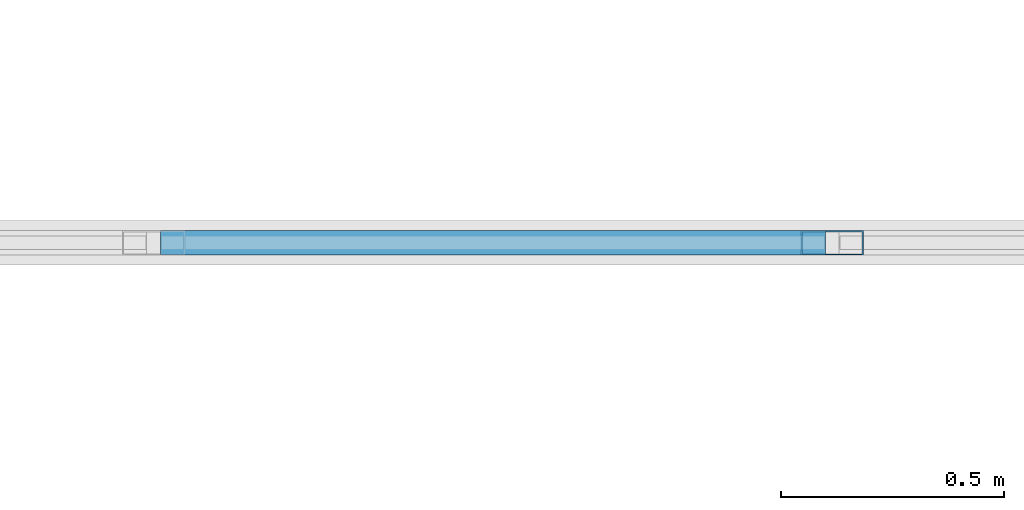
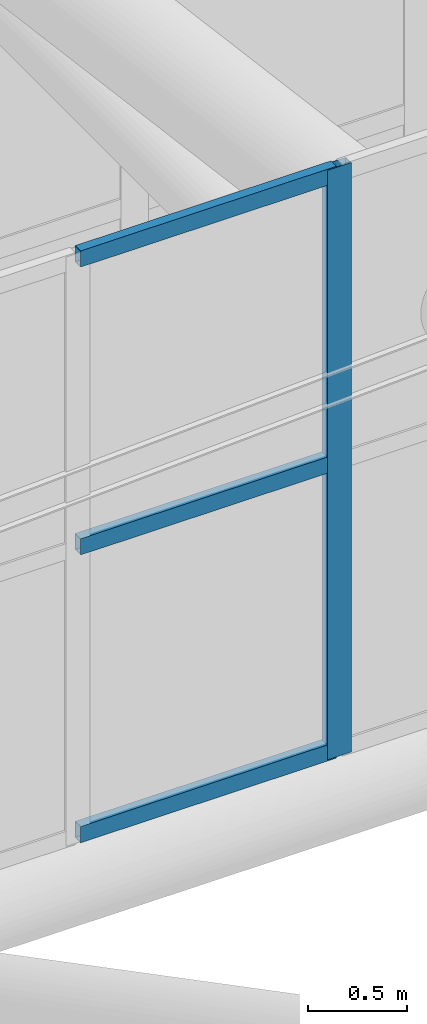
# One storey, part 251 of 397: 4 members, 1 element without a shape of its own.
"""IFC4 building model written with IfcOpenShell, lengths in metres."""

from ifc_helpers import new_model, si_unit, direction, frame, origin, origin_2d, place, context, subcontext, project, spatial, hollow_rectangle, extrude, material, material_profile, profile_set, type_object, element, aggregate, save


model = new_model("IFC4")

# Units and contexts
model_context = context("Model", 3, precision=1e-05, world=origin(), true_north=direction((0.0, 1.0)))
body_context = subcontext(model_context, "Body", "Model", "MODEL_VIEW")
ifc_project = project(units=[si_unit("LENGTHUNIT", "METRE"), si_unit("AREAUNIT", "SQUARE_METRE"), si_unit("VOLUMEUNIT", "CUBIC_METRE"), si_unit("PLANEANGLEUNIT", "RADIAN"), si_unit("MASSUNIT", "GRAM", prefix="KILO")], contexts=[model_context])

# Site, building, storey
site_placement = place(None, origin())
site = spatial("IfcSite", under=ifc_project, at=site_placement, CompositionType="ELEMENT")
building_placement = place(site_placement, origin())
building = spatial("IfcBuilding", under=site, at=building_placement, Name="Qandorah Velis Arena", CompositionType="ELEMENT")
storey_placement = place(building_placement, frame((0.0, 0.0, 27.5)))
storey = spatial("IfcBuildingStorey", under=building, at=storey_placement, Name="RF", CompositionType="ELEMENT", Elevation=27.5)

# Curtain wall, members
ifc_material_1 = material(Name="Solar-control low-E double glazing", Category="glass")
curtain_wall_type = type_object("IfcCurtainWallType", Name="ARC-CW-SYS03", PredefinedType="USERDEFINED", material=ifc_material_1)
curtain_wall_placement = place(storey_placement, origin())
curtain_wall = element("IfcCurtainWall", 1, at=curtain_wall_placement, inside=storey, type_object=curtain_wall_type, Name="Unitised curtain wall MON-4-3", ObjectType="UNITISED CURTAIN WALL", PredefinedType="USERDEFINED")
ifc_material_2 = material(Name="Champagne-bronze anodized aluminium 6063-T6", Category="aluminium")
ifc_material_profile_1 = material_profile(ifc_material_2, hollow_rectangle(XDim=0.054931640625, YDim=0.139892578125, WallThickness=0.0029296875, at=origin_2d()), Name="ALU MULLION 55x140")
ifc_profile_set_1 = profile_set([ifc_material_profile_1], Name="Champagne-bronze anodized aluminium 6063-T6")
member_type_1 = type_object("IfcMemberType", Name="ARC-CWM-140", PredefinedType="MULLION", material=ifc_profile_set_1)
member_1_placement = place(storey_placement, frame((56.8388671875, 108.0, 6.064697265625), z_axis=(0.0, 0.0, 1.0), x_axis=(0.0, 1.0, 0.0)))
member_1 = element("IfcMember", 2, at=member_1_placement, type_object=member_type_1, Name="CW03 mullion 5", PredefinedType="MULLION", context=body_context, shape_type="SweptSolid", body=[
    extrude(hollow_rectangle(XDim=0.054931640625, YDim=0.139892578125, WallThickness=0.0029296875, at=origin_2d()), origin(), (0.0, 0.0, 1.0), 3.6298828125),
])
ifc_material_profile_2 = material_profile(ifc_material_2, hollow_rectangle(XDim=0.054931640625, YDim=0.10009765625, WallThickness=0.0029296875, at=origin_2d()), Name="ALU TRANSOM 55x100")
ifc_profile_set_2 = profile_set([ifc_material_profile_2], Name="Champagne-bronze anodized aluminium 6063-T6")
member_type_2 = type_object("IfcMemberType", Name="ARC-CWT-100", PredefinedType="USERDEFINED", material=ifc_profile_set_2)
member_2_placement = place(storey_placement, frame((55.332275390625, 108.0, 6.107177734375), z_axis=(1.0, 0.0, 0.0), x_axis=(0.0, 1.0, 0.0)))
member_2 = element("IfcMember", 3, at=member_2_placement, type_object=member_type_2, Name="CW03 transom 4.1", ObjectType="TRANSOM", PredefinedType="USERDEFINED", context=body_context, shape_type="SweptSolid", body=[
    extrude(hollow_rectangle(XDim=0.054931640625, YDim=0.10009765625, WallThickness=0.0029296875, at=origin_2d()), origin(), (0.0, 0.0, 1.0), 1.4912109375),
])
member_3_placement = place(storey_placement, frame((55.332275390625, 108.0, 7.879638671875), z_axis=(1.0, 0.0, 0.0), x_axis=(0.0, 1.0, 0.0)))
member_3 = element("IfcMember", 4, at=member_3_placement, type_object=member_type_2, Name="CW03 transom 4.2", ObjectType="TRANSOM", PredefinedType="USERDEFINED", context=body_context, shape_type="SweptSolid", body=[
    extrude(hollow_rectangle(XDim=0.054931640625, YDim=0.10009765625, WallThickness=0.0029296875, at=origin_2d()), origin(), (0.0, 0.0, 1.0), 1.4912109375),
])
member_4_placement = place(storey_placement, frame((55.332275390625, 108.0, 9.652099609375), z_axis=(1.0, 0.0, 0.0), x_axis=(0.0, 1.0, 0.0)))
member_4 = element("IfcMember", 5, at=member_4_placement, type_object=member_type_2, Name="CW03 transom 4.3", ObjectType="TRANSOM", PredefinedType="USERDEFINED", context=body_context, shape_type="SweptSolid", body=[
    extrude(hollow_rectangle(XDim=0.054931640625, YDim=0.10009765625, WallThickness=0.0029296875, at=origin_2d()), origin(), (0.0, 0.0, 1.0), 1.4912109375),
])
aggregate(curtain_wall, [member_1, member_2, member_3, member_4])

save(model, "model.ifc")
